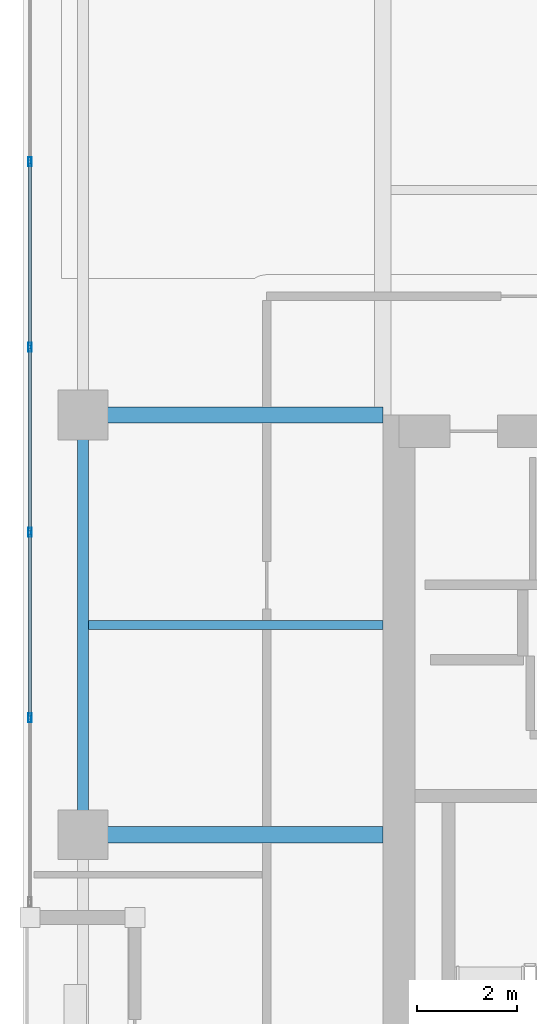
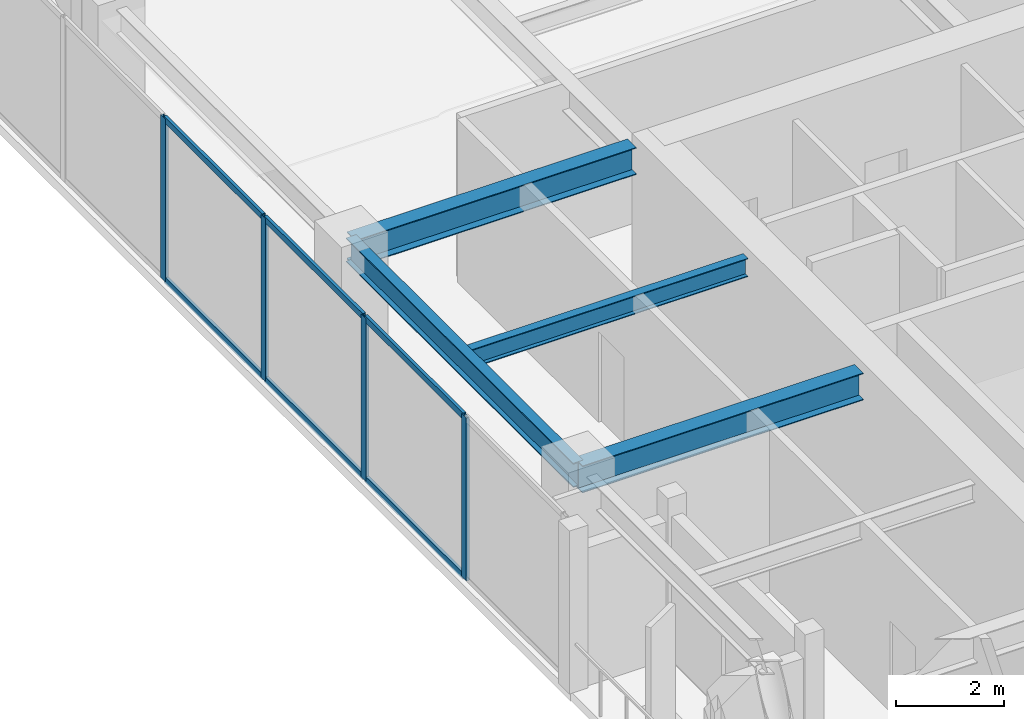
# One storey, part 4 of 21: 10 members, 4 beams, 1 element without a shape of its own.
"""IFC4 building model written with IfcOpenShell, lengths in metres."""

from ifc_helpers import new_model, si_unit, direction, frame, origin, origin_2d, place, context, subcontext, project, spatial, hollow_rectangle, i_section, extrude, material, layer, layer_set, material_profile, profile_set, type_object, element, aggregate, save


model = new_model("IFC4")

# Units and contexts
model_context = context("Model", 3, precision=1e-05, world=origin(), true_north=direction((0.0, 1.0)))
body_context = subcontext(model_context, "Body", "Model", "MODEL_VIEW")
ifc_project = project(units=[si_unit("LENGTHUNIT", "METRE"), si_unit("AREAUNIT", "SQUARE_METRE"), si_unit("VOLUMEUNIT", "CUBIC_METRE"), si_unit("PLANEANGLEUNIT", "RADIAN"), si_unit("MASSUNIT", "GRAM", prefix="KILO")], contexts=[model_context])

# Site, building, storey
site_placement = place(None, origin())
site = spatial("IfcSite", under=ifc_project, at=site_placement, CompositionType="ELEMENT")
building_placement = place(site_placement, origin())
building = spatial("IfcBuilding", under=site, at=building_placement, Name="Kiyonajd Concourse Tower", CompositionType="ELEMENT")
storey_placement = place(building_placement, frame((0.0, 0.0, 247.199951171875)))
storey = spatial("IfcBuildingStorey", under=building, at=storey_placement, Name="L62", CompositionType="ELEMENT", Elevation=247.199951171875)

# Beams
ifc_material_1 = material(Name="Steel ASTM A992 Grade 50", Category="steel")
ifc_material_profile_1 = material_profile(ifc_material_1, i_section(OverallWidth=0.180908203125, OverallDepth=0.4169921875, WebThickness=0.010986328125, FlangeThickness=0.018310546875, at=origin_2d()), Name="W410X85")
ifc_profile_set_1 = profile_set([ifc_material_profile_1], Name="Steel ASTM A992 Grade 50")
beam_type_1 = type_object("IfcBeamType", Name="BM-JST-410", PredefinedType="JOIST", material=ifc_profile_set_1)
beam_1_placement = place(storey_placement, frame((26.507080078125, 40.199951171875, 3.471435546875), z_axis=(1.0, 0.0, 0.0), x_axis=(0.0, 1.0, 0.0)))
element("IfcBeam", 1, at=beam_1_placement, inside=storey, type_object=beam_type_1, Name="L62 West Secondary Floor Joist", PredefinedType="JOIST", context=body_context, shape_type="SweptSolid", body=[
    extrude(i_section(OverallWidth=0.180908203125, OverallDepth=0.4169921875, WebThickness=0.010986328125, FlangeThickness=0.018310546875, at=origin_2d()), origin(), (0.0, 0.0, 1.0), 5.892822265625),
])
ifc_material_profile_2 = material_profile(ifc_material_1, i_section(OverallWidth=0.214111328125, OverallDepth=0.549072265625, WebThickness=0.0146484375, FlangeThickness=0.023681640625, at=origin_2d()), Name="W530X138")
ifc_profile_set_2 = profile_set([ifc_material_profile_2], Name="Steel ASTM A992 Grade 50")
beam_type_2 = type_object("IfcBeamType", Name="BM-SPAN-530A", PredefinedType="SPANDREL", material=ifc_profile_set_2)
beam_2_placement = place(storey_placement, frame((26.39990234375, 44.39990234375, 3.405517578125), z_axis=(0.0, -1.0, 0.0), x_axis=(1.0, 0.0, 0.0)))
element("IfcBeam", 2, at=beam_2_placement, inside=storey, type_object=beam_type_2, Name="L62 Perimeter Bundled Tube Spandrel", PredefinedType="SPANDREL", context=body_context, shape_type="SweptSolid", body=[
    extrude(i_section(OverallWidth=0.214111328125, OverallDepth=0.549072265625, WebThickness=0.0146484375, FlangeThickness=0.023681640625, at=origin_2d()), origin(), (0.0, 0.0, 1.0), 8.39990234375),
])
ifc_material_profile_3 = material_profile(ifc_material_1, i_section(OverallWidth=0.323974609375, OverallDepth=0.611083984375, WebThickness=0.0126953125, FlangeThickness=0.01904296875, at=origin_2d()), Name="W610X155")
ifc_profile_set_3 = profile_set([ifc_material_profile_3], Name="Steel ASTM A992 Grade 50")
beam_type_3 = type_object("IfcBeamType", Name="BM-TWR-610B", PredefinedType="BEAM", material=ifc_profile_set_3)
for number, where, z_axis, x_axis, name in (
    (3, (26.39990234375, 36.0, 3.37451171875), (1.0, 0.0, 0.0), (0.0, 1.0, 0.0), "L62 West Lease Girder"),
    (4, (26.39990234375, 44.39990234375, 3.37451171875), (1.0, 0.0, 0.0), (0.0, 1.0, 0.0), "L62 West Lease Girder"),
):
    element("IfcBeam", number, at=place(storey_placement, frame(where, z_axis=z_axis, x_axis=x_axis)), inside=storey, type_object=beam_type_3, Name=name, PredefinedType="BEAM", context=body_context, shape_type="SweptSolid", body=[
        extrude(i_section(OverallWidth=0.323974609375, OverallDepth=0.611083984375, WebThickness=0.0126953125, FlangeThickness=0.01904296875, at=origin_2d()), origin(), (0.0, 0.0, 1.0), 6.0),
    ])

# Curtain wall, members
ifc_material_2 = material(Name="Thermally Broken Anodised Aluminium", Category="aluminium")
ifc_layer = layer(ifc_material_2, 0.179931640625)
ifc_layer_set = layer_set([ifc_layer], Name="Thermally Broken Anodised Aluminium")
curtain_wall_type = type_object("IfcCurtainWallType", Name="CW-SYS-04", PredefinedType="NOTDEFINED", material=ifc_layer_set)
curtain_wall_placement = place(storey_placement, origin())
curtain_wall = element("IfcCurtainWall", 5, at=curtain_wall_placement, inside=storey, type_object=curtain_wall_type, Name="L62 Unitised Curtain Wall CW4", PredefinedType="NOTDEFINED")
ifc_material_profile_4 = material_profile(ifc_material_2, hollow_rectangle(XDim=0.06494140625, YDim=0.179931640625, WallThickness=0.00390625, at=origin_2d()), Name="MULL-65x180")
ifc_profile_set_4 = profile_set([ifc_material_profile_4], Name="Thermally Broken Anodised Aluminium")
member_type_1 = type_object("IfcMemberType", Name="MB-CW-MULL1", PredefinedType="MULLION", material=ifc_profile_set_4)
member_1_placement = place(storey_placement, frame((25.340087890625, 38.34033203125, 0.0), z_axis=(0.0, 0.0, 1.0), x_axis=(-1.0, 0.0, 0.0)))
member_1 = element("IfcMember", 6, at=member_1_placement, type_object=member_type_1, Name="CW4 mullion 2", PredefinedType="MULLION", context=body_context, shape_type="SweptSolid", body=[
    extrude(hollow_rectangle(XDim=0.06494140625, YDim=0.179931640625, WallThickness=0.00390625, at=origin_2d()), origin(), (0.0, 0.0, 1.0), 3.679931640625),
])
member_2_placement = place(storey_placement, frame((25.340087890625, 42.050537109375, 0.0), z_axis=(0.0, 0.0, 1.0), x_axis=(-1.0, 0.0, 0.0)))
member_2 = element("IfcMember", 7, at=member_2_placement, type_object=member_type_1, Name="CW4 mullion 3", PredefinedType="MULLION", context=body_context, shape_type="SweptSolid", body=[
    extrude(hollow_rectangle(XDim=0.06494140625, YDim=0.179931640625, WallThickness=0.00390625, at=origin_2d()), origin(), (0.0, 0.0, 1.0), 3.679931640625),
])
member_3_placement = place(storey_placement, frame((25.340087890625, 45.7607421875, 0.0), z_axis=(0.0, 0.0, 1.0), x_axis=(-1.0, 0.0, 0.0)))
member_3 = element("IfcMember", 8, at=member_3_placement, type_object=member_type_1, Name="CW4 mullion 4", PredefinedType="MULLION", context=body_context, shape_type="SweptSolid", body=[
    extrude(hollow_rectangle(XDim=0.06494140625, YDim=0.179931640625, WallThickness=0.00390625, at=origin_2d()), origin(), (0.0, 0.0, 1.0), 3.679931640625),
])
member_4_placement = place(storey_placement, frame((25.340087890625, 49.470947265625, 0.0), z_axis=(0.0, 0.0, 1.0), x_axis=(-1.0, 0.0, 0.0)))
member_4 = element("IfcMember", 9, at=member_4_placement, type_object=member_type_1, Name="CW4 mullion 5", PredefinedType="MULLION", context=body_context, shape_type="SweptSolid", body=[
    extrude(hollow_rectangle(XDim=0.06494140625, YDim=0.179931640625, WallThickness=0.00390625, at=origin_2d()), origin(), (0.0, 0.0, 1.0), 3.679931640625),
])
ifc_material_profile_5 = material_profile(ifc_material_2, hollow_rectangle(XDim=0.06494140625, YDim=0.139892578125, WallThickness=0.00390625, at=origin_2d()), Name="TRAN-65x140")
ifc_profile_set_5 = profile_set([ifc_material_profile_5], Name="Thermally Broken Anodised Aluminium")
member_type_2 = type_object("IfcMemberType", Name="MB-CW-TRAN1", PredefinedType="USERDEFINED", material=ifc_profile_set_5)
member_5_placement = place(storey_placement, frame((25.340087890625, 38.372802734375, 0.032470703125), z_axis=(0.0, 1.0, 0.0), x_axis=(-1.0, 0.0, 0.0)))
member_5 = element("IfcMember", 10, at=member_5_placement, type_object=member_type_2, Name="CW4 transom 2.1", ObjectType="TRANSOM", PredefinedType="USERDEFINED", context=body_context, shape_type="SweptSolid", body=[
    extrude(hollow_rectangle(XDim=0.06494140625, YDim=0.139892578125, WallThickness=0.00390625, at=origin_2d()), origin(), (0.0, 0.0, 1.0), 3.645263671875),
])
member_6_placement = place(storey_placement, frame((25.340087890625, 38.372802734375, 3.6474609375), z_axis=(0.0, 1.0, 0.0), x_axis=(-1.0, 0.0, 0.0)))
member_6 = element("IfcMember", 11, at=member_6_placement, type_object=member_type_2, Name="CW4 transom 2.2", ObjectType="TRANSOM", PredefinedType="USERDEFINED", context=body_context, shape_type="SweptSolid", body=[
    extrude(hollow_rectangle(XDim=0.06494140625, YDim=0.139892578125, WallThickness=0.00390625, at=origin_2d()), origin(), (0.0, 0.0, 1.0), 3.645263671875),
])
member_7_placement = place(storey_placement, frame((25.340087890625, 42.0830078125, 0.032470703125), z_axis=(0.0, 1.0, 0.0), x_axis=(-1.0, 0.0, 0.0)))
member_7 = element("IfcMember", 12, at=member_7_placement, type_object=member_type_2, Name="CW4 transom 3.1", ObjectType="TRANSOM", PredefinedType="USERDEFINED", context=body_context, shape_type="SweptSolid", body=[
    extrude(hollow_rectangle(XDim=0.06494140625, YDim=0.139892578125, WallThickness=0.00390625, at=origin_2d()), origin(), (0.0, 0.0, 1.0), 3.645263671875),
])
member_8_placement = place(storey_placement, frame((25.340087890625, 42.0830078125, 3.6474609375), z_axis=(0.0, 1.0, 0.0), x_axis=(-1.0, 0.0, 0.0)))
member_8 = element("IfcMember", 13, at=member_8_placement, type_object=member_type_2, Name="CW4 transom 3.2", ObjectType="TRANSOM", PredefinedType="USERDEFINED", context=body_context, shape_type="SweptSolid", body=[
    extrude(hollow_rectangle(XDim=0.06494140625, YDim=0.139892578125, WallThickness=0.00390625, at=origin_2d()), origin(), (0.0, 0.0, 1.0), 3.645263671875),
])
member_9_placement = place(storey_placement, frame((25.340087890625, 45.793212890625, 0.032470703125), z_axis=(0.0, 1.0, 0.0), x_axis=(-1.0, 0.0, 0.0)))
member_9 = element("IfcMember", 14, at=member_9_placement, type_object=member_type_2, Name="CW4 transom 4.1", ObjectType="TRANSOM", PredefinedType="USERDEFINED", context=body_context, shape_type="SweptSolid", body=[
    extrude(hollow_rectangle(XDim=0.06494140625, YDim=0.139892578125, WallThickness=0.00390625, at=origin_2d()), origin(), (0.0, 0.0, 1.0), 3.645263671875),
])
member_10_placement = place(storey_placement, frame((25.340087890625, 45.793212890625, 3.6474609375), z_axis=(0.0, 1.0, 0.0), x_axis=(-1.0, 0.0, 0.0)))
member_10 = element("IfcMember", 15, at=member_10_placement, type_object=member_type_2, Name="CW4 transom 4.2", ObjectType="TRANSOM", PredefinedType="USERDEFINED", context=body_context, shape_type="SweptSolid", body=[
    extrude(hollow_rectangle(XDim=0.06494140625, YDim=0.139892578125, WallThickness=0.00390625, at=origin_2d()), origin(), (0.0, 0.0, 1.0), 3.645263671875),
])
aggregate(curtain_wall, [member_1, member_2, member_3, member_4, member_5, member_6, member_7, member_8, member_9, member_10])

save(model, "model.ifc")
